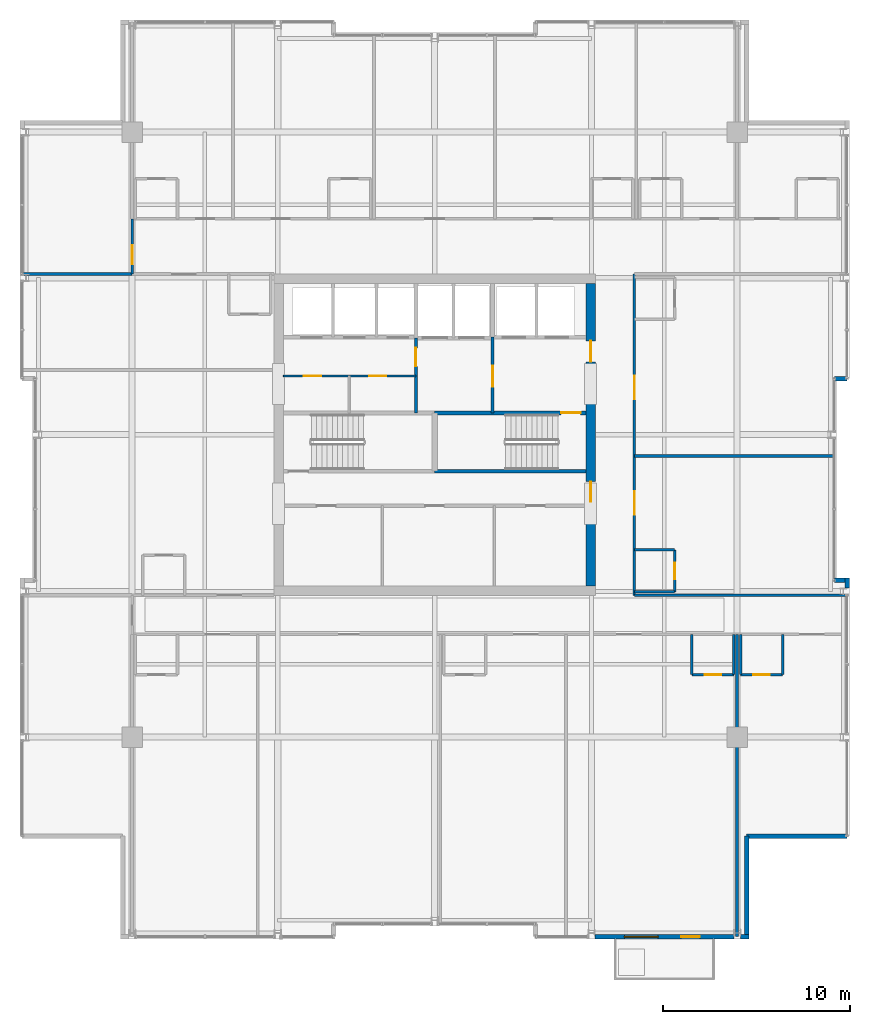
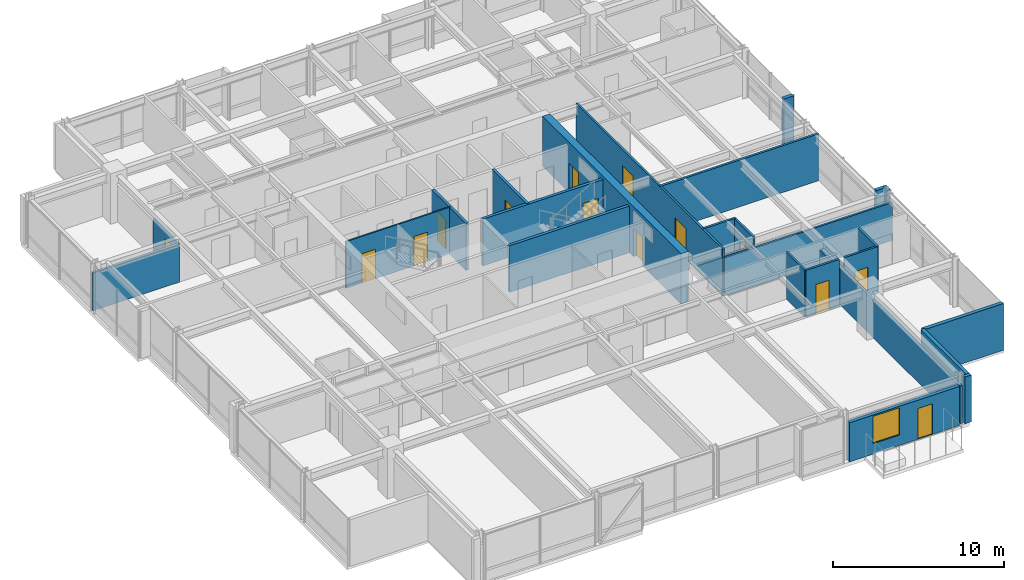
# One storey, part 27 of 32: 28 walls, 14 doors, 1 window, 15 openings.
"""IFC4 building model written with IfcOpenShell, lengths in metres."""

from ifc_helpers import new_model, si_unit, direction, frame, frame_2d, origin, place, context, subcontext, project, spatial, rectangle, extrude, material, layer, layer_set, type_object, element, fill, save


model = new_model("IFC4")

# Units and contexts
model_context = context("Model", 3, precision=1e-05, world=origin(), true_north=direction((0.0, 1.0)))
body_context = subcontext(model_context, "Body", "Model", "MODEL_VIEW")
ifc_project = project(units=[si_unit("LENGTHUNIT", "METRE"), si_unit("AREAUNIT", "SQUARE_METRE"), si_unit("VOLUMEUNIT", "CUBIC_METRE"), si_unit("PLANEANGLEUNIT", "RADIAN"), si_unit("MASSUNIT", "GRAM", prefix="KILO")], contexts=[model_context])

# Site, building, storey
site_placement = place(None, origin())
site = spatial("IfcSite", under=ifc_project, at=site_placement, CompositionType="ELEMENT")
building_placement = place(site_placement, origin())
building = spatial("IfcBuilding", under=site, at=building_placement, Name="Drelvath Grand Hotel", CompositionType="ELEMENT")
storey_placement = place(building_placement, frame((0.0, 0.0, 237.5)))
storey = spatial("IfcBuildingStorey", under=building, at=storey_placement, Name="L62", CompositionType="ELEMENT", Elevation=237.5)

# Wall, openings, doors
ifc_material_1 = material(Name="Gypsum Partition Board")
ifc_layer_1 = layer(ifc_material_1, 0.10009765625)
ifc_layer_set_1 = layer_set([ifc_layer_1], Name="Gypsum Partition Board")
wall_type_1 = type_object("IfcWallType", Name="Core Closet Partition 100", PredefinedType="PARTITIONING", material=ifc_layer_set_1)
wall_1_placement = place(storey_placement, frame((-8.10009765625, 30.139892578125, 0.0), z_axis=(0.0, 0.0, 1.0), x_axis=(1.0, 0.0, 0.0)))
wall_1 = element("IfcWall", 1, at=wall_1_placement, inside=storey, type_object=wall_type_1, Name="L62 High-Rise Lobby Closet Wall", PredefinedType="PARTITIONING", context=body_context, shape_type="SweptSolid", body=[
    extrude(rectangle(XDim=7.10009765625, YDim=0.10009765625, at=frame_2d((3.550048828125, 0.0))), origin(), (0.0, 0.0, 1.0), 3.340087890625),
])
opening_1_placement = place(wall_1_placement, frame((1.10009765625, 0.0, 0.0)))
opening_1 = element("IfcOpeningElement", 2, at=opening_1_placement, cuts=wall_1, Name="Opening D-T4G4-013", PredefinedType="OPENING", context=body_context, shape_type="SweptSolid", body=[
    extrude(rectangle(XDim=0.919921875, YDim=2.10009765625, at=frame_2d((0.4599609375, 1.050048828125))), frame((0.0, 0.06005859375, 0.0), z_axis=(0.0, -1.0, 0.0), x_axis=(1.0, 0.0, 0.0)), (0.0, 0.0, 1.0), 0.1201171875),
])
opening_2_placement = place(wall_1_placement, frame((4.60009765625, 0.0, 0.0)))
opening_2 = element("IfcOpeningElement", 3, at=opening_2_placement, cuts=wall_1, Name="Opening D-T4G4-014", PredefinedType="OPENING", context=body_context, shape_type="SweptSolid", body=[
    extrude(rectangle(XDim=0.919921875, YDim=2.10009765625, at=frame_2d((0.4599609375, 1.050048828125))), frame((0.0, 0.06005859375, 0.0), z_axis=(0.0, -1.0, 0.0), x_axis=(1.0, 0.0, 0.0)), (0.0, 0.0, 1.0), 0.1201171875),
])
ifc_material_2 = material(Name="Painted Steel S275", Category="steel")
door_type_1 = type_object("IfcDoorType", Name="Staff Utility Door 920x2100", OperationType="NOTDEFINED", PredefinedType="DOOR", material=ifc_material_2)
door_1_placement = place(opening_1_placement, origin())
door_1 = element("IfcDoor", 4, at=door_1_placement, inside=storey, type_object=door_type_1, Name="L62 Electrical Closet Door", OperationType="SINGLE_SWING_RIGHT", OverallHeight=2.10009765625, OverallWidth=0.919921875, PredefinedType="DOOR", context=body_context, shape_type="SweptSolid", body=[
    extrude(rectangle(XDim=0.919921875, YDim=2.10009765625, at=frame_2d((0.4599609375, 1.050048828125))), frame((0.0, 0.02490234375, 0.0), z_axis=(0.0, -1.0, 0.0), x_axis=(1.0, 0.0, 0.0)), (0.0, 0.0, 1.0), 0.050048828125),
])
fill(opening_1, door_1)
door_2_placement = place(opening_2_placement, origin())
door_2 = element("IfcDoor", 5, at=door_2_placement, inside=storey, type_object=door_type_1, Name="L62 Telecom Room Door", OperationType="SINGLE_SWING_LEFT", OverallHeight=2.10009765625, OverallWidth=0.919921875, PredefinedType="DOOR", context=body_context, shape_type="SweptSolid", body=[
    extrude(rectangle(XDim=0.919921875, YDim=2.10009765625, at=frame_2d((0.4599609375, 1.050048828125))), frame((0.0, 0.02490234375, 0.0), z_axis=(0.0, -1.0, 0.0), x_axis=(1.0, 0.0, 0.0)), (0.0, 0.0, 1.0), 0.050048828125),
])
fill(opening_2, door_2)

# Wall
ifc_material_3 = material(Name="Concrete C40/50", Category="concrete")
ifc_layer_2 = layer(ifc_material_3, 0.199951171875)
ifc_layer_set_2 = layer_set([ifc_layer_2], Name="Concrete C40/50")
wall_type_2 = type_object("IfcWallType", Name="Core Shaft Fire Wall 200", PredefinedType="SOLIDWALL", material=ifc_layer_set_2)
wall_2_placement = place(storey_placement, frame((0.0, 25.0400390625, 0.0), z_axis=(0.0, 0.0, 1.0), x_axis=(1.0, 0.0, 0.0)))
element("IfcWall", 6, at=wall_2_placement, inside=storey, type_object=wall_type_2, Name="L62 Stair ST-2 South Wall", PredefinedType="SOLIDWALL", context=body_context, shape_type="SweptSolid", body=[
    extrude(rectangle(XDim=8.10009765625, YDim=0.199951171875, at=frame_2d((4.050048828125, 0.0))), origin(), (0.0, 0.0, 1.0), 3.340087890625),
])

# Wall, opening, door
wall_3_placement = place(storey_placement, frame((8.10009765625, 28.159912109375, 0.0), z_axis=(0.0, 0.0, 1.0), x_axis=(-1.0, 0.0, 0.0)))
wall_3 = element("IfcWall", 7, at=wall_3_placement, inside=storey, type_object=wall_type_2, Name="L62 Stair ST-2 North Wall", PredefinedType="SOLIDWALL", context=body_context, shape_type="SweptSolid", body=[
    extrude(rectangle(XDim=8.10009765625, YDim=0.199951171875, at=frame_2d((4.050048828125, 0.0))), origin(), (0.0, 0.0, 1.0), 3.340087890625),
])
opening_3_placement = place(wall_3_placement, frame((0.280029296875, 0.0, 0.0)))
opening_3 = element("IfcOpeningElement", 8, at=opening_3_placement, cuts=wall_3, Name="Opening D-T4G4-002", PredefinedType="OPENING", context=body_context, shape_type="SweptSolid", body=[
    extrude(rectangle(XDim=1.050048828125, YDim=2.10009765625, at=frame_2d((0.52490234375, 1.050048828125))), frame((0.0, 0.10986328125, 0.0), z_axis=(0.0, -1.0, 0.0), x_axis=(1.0, 0.0, 0.0)), (0.0, 0.0, 1.0), 0.219970703125),
])
door_type_2 = type_object("IfcDoorType", Name="Tower Stairwell Fire Door 1050x2100", OperationType="NOTDEFINED", PredefinedType="DOOR", material=ifc_material_2)
door_3_placement = place(opening_3_placement, origin())
door_3 = element("IfcDoor", 9, at=door_3_placement, inside=storey, type_object=door_type_2, Name="L62 Exit Stair ST-2 Door", OperationType="SINGLE_SWING_LEFT", OverallHeight=2.10009765625, OverallWidth=1.050048828125, PredefinedType="DOOR", context=body_context, shape_type="SweptSolid", body=[
    extrude(rectangle(XDim=1.050048828125, YDim=2.10009765625, at=frame_2d((0.52490234375, 1.050048828125))), frame((0.0, 0.02490234375, 0.0), z_axis=(0.0, -1.0, 0.0), x_axis=(1.0, 0.0, 0.0)), (0.0, 0.0, 1.0), 0.050048828125),
])
fill(opening_3, door_3)

# Wall
ifc_material_4 = material(Name="Gypsum Fireboard Partition")
ifc_layer_3 = layer(ifc_material_4, 0.135009765625)
ifc_layer_set_3 = layer_set([ifc_layer_3], Name="Gypsum Fireboard Partition")
wall_type_3 = type_object("IfcWallType", Name="Corridor Fire Barrier Wall 135", PredefinedType="PARTITIONING", material=ifc_layer_set_3)
wall_4_placement = place(storey_placement, frame((10.699951171875, 18.39990234375, 0.0), z_axis=(0.0, 0.0, 1.0), x_axis=(1.0, 0.0, 0.0)))
element("IfcWall", 10, at=wall_4_placement, inside=storey, type_object=wall_type_3, Name="L62 South Gallery Inner East Wall", PredefinedType="PARTITIONING", context=body_context, shape_type="SweptSolid", body=[
    extrude(rectangle(XDim=11.380126953125, YDim=0.135009765625, at=frame_2d((5.68994140625, 0.0))), origin(), (0.0, 0.0, 1.0), 2.71728515625),
])

# Wall, openings, doors
wall_5_placement = place(storey_placement, frame((10.699951171875, 18.39990234375, 0.0), z_axis=(0.0, 0.0, 1.0), x_axis=(0.0, 1.0, 0.0)))
wall_5 = element("IfcWall", 11, at=wall_5_placement, inside=storey, type_object=wall_type_3, Name="L62 East Gallery Link Wall", PredefinedType="PARTITIONING", context=body_context, shape_type="SweptSolid", body=[
    extrude(rectangle(XDim=17.2001953125, YDim=0.135009765625, at=frame_2d((8.60009765625, 0.0))), origin(), (0.0, 0.0, 1.0), 3.340087890625),
])
opening_4_placement = place(wall_5_placement, frame((4.311767578125, 0.0, 0.0)))
opening_4 = element("IfcOpeningElement", 12, at=opening_4_placement, cuts=wall_5, Name="Opening D-T4G4-042", PredefinedType="OPENING", context=body_context, shape_type="SweptSolid", body=[
    extrude(rectangle(XDim=1.260009765625, YDim=2.199951171875, at=frame_2d((0.6298828125, 1.10009765625))), frame((0.0, 0.077392578125, 0.0), z_axis=(0.0, -1.0, 0.0), x_axis=(1.0, 0.0, 0.0)), (0.0, 0.0, 1.0), 0.155029296875),
])
opening_5_placement = place(wall_5_placement, frame((10.481689453125, 0.0, 0.0)))
opening_5 = element("IfcOpeningElement", 13, at=opening_5_placement, cuts=wall_5, Name="Opening D-T4G4-044", PredefinedType="OPENING", context=body_context, shape_type="SweptSolid", body=[
    extrude(rectangle(XDim=1.260009765625, YDim=2.199951171875, at=frame_2d((0.6298828125, 1.10009765625))), frame((0.0, 0.077392578125, 0.0), z_axis=(0.0, -1.0, 0.0), x_axis=(1.0, 0.0, 0.0)), (0.0, 0.0, 1.0), 0.155029296875),
])
ifc_material_5 = material(Name="Hardwood Walnut Timber", Category="wood")
door_type_3 = type_object("IfcDoorType", Name="Suite Entrance Fire Door 1260x2200", OperationType="NOTDEFINED", PredefinedType="DOOR", material=ifc_material_5)
door_4_placement = place(opening_4_placement, origin())
door_4 = element("IfcDoor", 14, at=door_4_placement, inside=storey, type_object=door_type_3, Name="L62 Diplomatic Suite Entry Door", OperationType="SINGLE_SWING_LEFT", OverallHeight=2.199951171875, OverallWidth=1.260009765625, PredefinedType="DOOR", context=body_context, shape_type="SweptSolid", body=[
    extrude(rectangle(XDim=1.260009765625, YDim=2.199951171875, at=frame_2d((0.6298828125, 1.10009765625))), frame((0.0, 0.02490234375, 0.0), z_axis=(0.0, -1.0, 0.0), x_axis=(1.0, 0.0, 0.0)), (0.0, 0.0, 1.0), 0.050048828125),
])
fill(opening_4, door_4)
door_5_placement = place(opening_5_placement, origin())
door_5 = element("IfcDoor", 15, at=door_5_placement, inside=storey, type_object=door_type_3, Name="L62 Diplomatic Suite Entry Door", OperationType="SINGLE_SWING_LEFT", OverallHeight=2.199951171875, OverallWidth=1.260009765625, PredefinedType="DOOR", context=body_context, shape_type="SweptSolid", body=[
    extrude(rectangle(XDim=1.260009765625, YDim=2.199951171875, at=frame_2d((0.6298828125, 1.10009765625))), frame((0.0, 0.02490234375, 0.0), z_axis=(0.0, -1.0, 0.0), x_axis=(1.0, 0.0, 0.0)), (0.0, 0.0, 1.0), 0.050048828125),
])
fill(opening_5, door_5)

# Wall, opening, door
wall_6_placement = place(storey_placement, frame((-16.199951171875, 35.60009765625, 0.0), z_axis=(0.0, 0.0, 1.0), x_axis=(0.0, 1.0, 0.0)))
wall_6 = element("IfcWall", 16, at=wall_6_placement, inside=storey, type_object=wall_type_3, Name="L62 North Gallery West End", PredefinedType="PARTITIONING", context=body_context, shape_type="SweptSolid", body=[
    extrude(rectangle(XDim=2.949951171875, YDim=0.135009765625, at=frame_2d((1.47509765625, 0.0))), origin(), (0.0, 0.0, 1.0), 2.7138671875),
])
opening_6_placement = place(wall_6_placement, frame((0.52001953125, 0.0, 0.0)))
opening_6 = element("IfcOpeningElement", 17, at=opening_6_placement, cuts=wall_6, Name="Opening D-T4G4-020", PredefinedType="OPENING", context=body_context, shape_type="SweptSolid", body=[
    extrude(rectangle(XDim=1.02001953125, YDim=2.14990234375, at=frame_2d((0.510009765625, 1.074951171875))), frame((0.0, 0.077392578125, 0.0), z_axis=(0.0, -1.0, 0.0), x_axis=(1.0, 0.0, 0.0)), (0.0, 0.0, 1.0), 0.155029296875),
])
door_type_4 = type_object("IfcDoorType", Name="Amenity Meeting Fire Door 1020x2150", OperationType="NOTDEFINED", PredefinedType="DOOR", material=ifc_material_5)
door_6_placement = place(opening_6_placement, origin())
door_6 = element("IfcDoor", 18, at=door_6_placement, inside=storey, type_object=door_type_4, Name="L62 Corner Panorama Lounge Door", OperationType="SINGLE_SWING_LEFT", OverallHeight=2.14990234375, OverallWidth=1.02001953125, PredefinedType="DOOR", context=body_context, shape_type="SweptSolid", body=[
    extrude(rectangle(XDim=1.02001953125, YDim=2.14990234375, at=frame_2d((0.510009765625, 1.074951171875))), frame((0.0, 0.02490234375, 0.0), z_axis=(0.0, -1.0, 0.0), x_axis=(1.0, 0.0, 0.0)), (0.0, 0.0, 1.0), 0.050048828125),
])
fill(opening_6, door_6)

# Walls
ifc_material_6 = material(Name="Moisture-Resistant Gypsum Board")
ifc_layer_4 = layer(ifc_material_6, 0.139892578125)
ifc_layer_set_4 = layer_set([ifc_layer_4], Name="Moisture-Resistant Gypsum Board")
wall_type_4 = type_object("IfcWallType", Name="En-Suite Plumbing Wall 140", PredefinedType="PLUMBINGWALL", material=ifc_layer_set_4)
wall_7_placement = place(storey_placement, frame((16.3798828125, 16.300048828125, 0.0), z_axis=(0.0, 0.0, 1.0), x_axis=(0.0, -1.0, 0.0)))
element("IfcWall", 19, at=wall_7_placement, inside=storey, type_object=wall_type_4, Name="L62 En-Suite Left Wall", PredefinedType="PLUMBINGWALL", context=body_context, shape_type="SweptSolid", body=[
    extrude(rectangle(XDim=2.150146484375, YDim=0.139892578125, at=frame_2d((1.0751953125, 0.0))), origin(), (0.0, 0.0, 1.0), 2.7138671875),
])
wall_8_placement = place(storey_placement, frame((18.6298828125, 16.300048828125, 0.0), z_axis=(0.0, 0.0, 1.0), x_axis=(0.0, -1.0, 0.0)))
element("IfcWall", 20, at=wall_8_placement, inside=storey, type_object=wall_type_4, Name="L62 En-Suite Right Wall", PredefinedType="PLUMBINGWALL", context=body_context, shape_type="SweptSolid", body=[
    extrude(rectangle(XDim=2.150146484375, YDim=0.139892578125, at=frame_2d((1.0751953125, 0.0))), origin(), (0.0, 0.0, 1.0), 3.340087890625),
])

# Wall, opening, door
wall_9_placement = place(storey_placement, frame((16.3798828125, 14.14990234375, 0.0), z_axis=(0.0, 0.0, 1.0), x_axis=(1.0, 0.0, 0.0)))
wall_9 = element("IfcWall", 21, at=wall_9_placement, inside=storey, type_object=wall_type_4, Name="L62 En-Suite Front Wall", PredefinedType="PLUMBINGWALL", context=body_context, shape_type="SweptSolid", body=[
    extrude(rectangle(XDim=2.25, YDim=0.139892578125, at=frame_2d((1.125, 0.0))), origin(), (0.0, 0.0, 1.0), 3.340087890625),
])
opening_7_placement = place(wall_9_placement, frame((0.68505859375, 0.0, 0.0)))
opening_7 = element("IfcOpeningElement", 22, at=opening_7_placement, cuts=wall_9, Name="Opening D-T4G4-021", PredefinedType="OPENING", context=body_context, shape_type="SweptSolid", body=[
    extrude(rectangle(XDim=0.8798828125, YDim=2.10009765625, at=frame_2d((0.43994140625, 1.050048828125))), frame((0.0, 0.079833984375, 0.0), z_axis=(0.0, -1.0, 0.0), x_axis=(1.0, 0.0, 0.0)), (0.0, 0.0, 1.0), 0.159912109375),
])
door_type_5 = type_object("IfcDoorType", Name="En-Suite Bathroom Door 880x2100", OperationType="NOTDEFINED", PredefinedType="DOOR", material=ifc_material_5)
door_7_placement = place(opening_7_placement, origin())
door_7 = element("IfcDoor", 23, at=door_7_placement, inside=storey, type_object=door_type_5, Name="L62 En-Suite Bathroom Door", OperationType="SINGLE_SWING_RIGHT", OverallHeight=2.10009765625, OverallWidth=0.8798828125, PredefinedType="DOOR", context=body_context, shape_type="SweptSolid", body=[
    extrude(rectangle(XDim=0.8798828125, YDim=2.10009765625, at=frame_2d((0.43994140625, 1.050048828125))), frame((0.0, 0.02490234375, 0.0), z_axis=(0.0, -1.0, 0.0), x_axis=(1.0, 0.0, 0.0)), (0.0, 0.0, 1.0), 0.050048828125),
])
fill(opening_7, door_7)

# Walls
wall_10_placement = place(storey_placement, frame((13.77001953125, 16.300048828125, 0.0), z_axis=(0.0, 0.0, 1.0), x_axis=(0.0, -1.0, 0.0)))
element("IfcWall", 24, at=wall_10_placement, inside=storey, type_object=wall_type_4, Name="L62 En-Suite Left Wall", PredefinedType="PLUMBINGWALL", context=body_context, shape_type="SweptSolid", body=[
    extrude(rectangle(XDim=2.150146484375, YDim=0.139892578125, at=frame_2d((1.0751953125, 0.0))), origin(), (0.0, 0.0, 1.0), 3.340087890625),
])
wall_11_placement = place(storey_placement, frame((16.02001953125, 16.300048828125, 0.0), z_axis=(0.0, 0.0, 1.0), x_axis=(0.0, -1.0, 0.0)))
element("IfcWall", 25, at=wall_11_placement, inside=storey, type_object=wall_type_4, Name="L62 En-Suite Right Wall", PredefinedType="PLUMBINGWALL", context=body_context, shape_type="SweptSolid", body=[
    extrude(rectangle(XDim=2.150146484375, YDim=0.139892578125, at=frame_2d((1.0751953125, 0.0))), origin(), (0.0, 0.0, 1.0), 2.7138671875),
])

# Wall, opening, door
wall_12_placement = place(storey_placement, frame((13.77001953125, 14.14990234375, 0.0), z_axis=(0.0, 0.0, 1.0), x_axis=(1.0, 0.0, 0.0)))
wall_12 = element("IfcWall", 26, at=wall_12_placement, inside=storey, type_object=wall_type_4, Name="L62 En-Suite Front Wall", PredefinedType="PLUMBINGWALL", context=body_context, shape_type="SweptSolid", body=[
    extrude(rectangle(XDim=2.25, YDim=0.139892578125, at=frame_2d((1.125, 0.0))), origin(), (0.0, 0.0, 1.0), 3.340087890625),
])
opening_8_placement = place(wall_12_placement, frame((0.68505859375, 0.0, 0.0)))
opening_8 = element("IfcOpeningElement", 27, at=opening_8_placement, cuts=wall_12, Name="Opening D-T4G4-030", PredefinedType="OPENING", context=body_context, shape_type="SweptSolid", body=[
    extrude(rectangle(XDim=0.8798828125, YDim=2.10009765625, at=frame_2d((0.43994140625, 1.050048828125))), frame((0.0, 0.079833984375, 0.0), z_axis=(0.0, -1.0, 0.0), x_axis=(1.0, 0.0, 0.0)), (0.0, 0.0, 1.0), 0.159912109375),
])
door_8_placement = place(opening_8_placement, origin())
door_8 = element("IfcDoor", 28, at=door_8_placement, inside=storey, type_object=door_type_5, Name="L62 En-Suite Bathroom Door", OperationType="SINGLE_SWING_LEFT", OverallHeight=2.10009765625, OverallWidth=0.8798828125, PredefinedType="DOOR", context=body_context, shape_type="SweptSolid", body=[
    extrude(rectangle(XDim=0.8798828125, YDim=2.10009765625, at=frame_2d((0.43994140625, 1.050048828125))), frame((0.0, 0.02490234375, 0.0), z_axis=(0.0, -1.0, 0.0), x_axis=(1.0, 0.0, 0.0)), (0.0, 0.0, 1.0), 0.050048828125),
])
fill(opening_8, door_8)

# Walls
wall_13_placement = place(storey_placement, frame((10.699951171875, 18.580078125, 0.0), z_axis=(0.0, 0.0, 1.0), x_axis=(1.0, 0.0, 0.0)))
element("IfcWall", 29, at=wall_13_placement, inside=storey, type_object=wall_type_4, Name="L62 En-Suite Left Wall", PredefinedType="PLUMBINGWALL", context=body_context, shape_type="SweptSolid", body=[
    extrude(rectangle(XDim=2.150146484375, YDim=0.139892578125, at=frame_2d((1.0751953125, 0.0))), origin(), (0.0, 0.0, 1.0), 2.71728515625),
])
wall_14_placement = place(storey_placement, frame((10.699951171875, 20.830078125, 0.0), z_axis=(0.0, 0.0, 1.0), x_axis=(1.0, 0.0, 0.0)))
element("IfcWall", 30, at=wall_14_placement, inside=storey, type_object=wall_type_4, Name="L62 En-Suite Right Wall", PredefinedType="PLUMBINGWALL", context=body_context, shape_type="SweptSolid", body=[
    extrude(rectangle(XDim=2.150146484375, YDim=0.139892578125, at=frame_2d((1.0751953125, 0.0))), origin(), (0.0, 0.0, 1.0), 3.340087890625),
])

# Wall, opening, door
wall_15_placement = place(storey_placement, frame((12.85009765625, 18.580078125, 0.0), z_axis=(0.0, 0.0, 1.0), x_axis=(0.0, 1.0, 0.0)))
wall_15 = element("IfcWall", 31, at=wall_15_placement, inside=storey, type_object=wall_type_4, Name="L62 En-Suite Front Wall", PredefinedType="PLUMBINGWALL", context=body_context, shape_type="SweptSolid", body=[
    extrude(rectangle(XDim=2.25, YDim=0.139892578125, at=frame_2d((1.125, 0.0))), origin(), (0.0, 0.0, 1.0), 3.340087890625),
])
opening_9_placement = place(wall_15_placement, frame((0.68505859375, 0.0, 0.0)))
opening_9 = element("IfcOpeningElement", 32, at=opening_9_placement, cuts=wall_15, Name="Opening D-T4G4-041", PredefinedType="OPENING", context=body_context, shape_type="SweptSolid", body=[
    extrude(rectangle(XDim=0.8798828125, YDim=2.10009765625, at=frame_2d((0.43994140625, 1.050048828125))), frame((0.0, 0.079833984375, 0.0), z_axis=(0.0, -1.0, 0.0), x_axis=(1.0, 0.0, 0.0)), (0.0, 0.0, 1.0), 0.159912109375),
])
door_9_placement = place(opening_9_placement, origin())
door_9 = element("IfcDoor", 33, at=door_9_placement, inside=storey, type_object=door_type_5, Name="L62 En-Suite Bathroom Door", OperationType="SINGLE_SWING_RIGHT", OverallHeight=2.10009765625, OverallWidth=0.8798828125, PredefinedType="DOOR", context=body_context, shape_type="SweptSolid", body=[
    extrude(rectangle(XDim=0.8798828125, YDim=2.10009765625, at=frame_2d((0.43994140625, 1.050048828125))), frame((0.0, 0.02490234375, 0.0), z_axis=(0.0, -1.0, 0.0), x_axis=(1.0, 0.0, 0.0)), (0.0, 0.0, 1.0), 0.050048828125),
])
fill(opening_9, door_9)

ifc_layer_5 = layer(ifc_material_4, 0.179931640625)
ifc_layer_set_5 = layer_set([ifc_layer_5], Name="Gypsum Fireboard Partition")
wall_type_5 = type_object("IfcWallType", Name="FSAE Smoke Lobby Fire Wall 180", PredefinedType="SOLIDWALL", material=ifc_layer_set_5)
wall_16_placement = place(storey_placement, frame((3.10009765625, 28.159912109375, 0.0), z_axis=(0.0, 0.0, 1.0), x_axis=(0.0, 1.0, 0.0)))
wall_16 = element("IfcWall", 34, at=wall_16_placement, inside=storey, type_object=wall_type_5, Name="L62 FSAE Smoke Lobby West Wall", PredefinedType="SOLIDWALL", context=body_context, shape_type="SweptSolid", body=[
    extrude(rectangle(XDim=4.06005859375, YDim=0.179931640625, at=frame_2d((2.030029296875, 0.0))), origin(), (0.0, 0.0, 1.0), 3.340087890625),
])
opening_10_placement = place(wall_16_placement, frame((1.39990234375, 0.0, 0.0)))
opening_10 = element("IfcOpeningElement", 35, at=opening_10_placement, cuts=wall_16, Name="Opening D-T4G4-005", PredefinedType="OPENING", context=body_context, shape_type="SweptSolid", body=[
    extrude(rectangle(XDim=1.1201171875, YDim=2.10009765625, at=frame_2d((0.56005859375, 1.050048828125))), frame((0.0, 0.099853515625, 0.0), z_axis=(0.0, -1.0, 0.0), x_axis=(1.0, 0.0, 0.0)), (0.0, 0.0, 1.0), 0.199951171875),
])
door_type_6 = type_object("IfcDoorType", Name="FSAE Smoke Lobby Fire Door 1120x2100", OperationType="NOTDEFINED", PredefinedType="DOOR", material=ifc_material_2)
door_10_placement = place(opening_10_placement, origin())
door_10 = element("IfcDoor", 36, at=door_10_placement, inside=storey, type_object=door_type_6, Name="L62 FSAE Lobby Service Vestibule Door", OperationType="SINGLE_SWING_RIGHT", OverallHeight=2.10009765625, OverallWidth=1.1201171875, PredefinedType="DOOR", context=body_context, shape_type="SweptSolid", body=[
    extrude(rectangle(XDim=1.1201171875, YDim=2.10009765625, at=frame_2d((0.56005859375, 1.050048828125))), frame((0.0, 0.02490234375, 0.0), z_axis=(0.0, -1.0, 0.0), x_axis=(1.0, 0.0, 0.0)), (0.0, 0.0, 1.0), 0.050048828125),
])
fill(opening_10, door_10)

wall_17_placement = place(storey_placement, frame((-1.0, 28.159912109375, 0.0), z_axis=(0.0, 0.0, 1.0), x_axis=(0.0, 1.0, 0.0)))
wall_17 = element("IfcWall", 37, at=wall_17_placement, inside=storey, type_object=wall_type_5, Name="L62 Service Vestibule West Wall", PredefinedType="SOLIDWALL", context=body_context, shape_type="SweptSolid", body=[
    extrude(rectangle(XDim=4.02001953125, YDim=0.179931640625, at=frame_2d((2.010009765625, 0.0))), origin(), (0.0, 0.0, 1.0), 3.340087890625),
])
opening_11_placement = place(wall_17_placement, frame((2.489990234375, 0.0, 0.0)))
opening_11 = element("IfcOpeningElement", 38, at=opening_11_placement, cuts=wall_17, Name="Opening D-T4G4-009", PredefinedType="OPENING", context=body_context, shape_type="SweptSolid", body=[
    extrude(rectangle(XDim=1.0, YDim=2.10009765625, at=frame_2d((0.5, 1.050048828125))), frame((0.0, 0.099853515625, 0.0), z_axis=(0.0, -1.0, 0.0), x_axis=(1.0, 0.0, 0.0)), (0.0, 0.0, 1.0), 0.199951171875),
])
door_type_7 = type_object("IfcDoorType", Name="Core Service Fire Door 1000x2100", OperationType="NOTDEFINED", PredefinedType="DOOR", material=ifc_material_2)
door_11_placement = place(opening_11_placement, origin())
door_11 = element("IfcDoor", 39, at=door_11_placement, inside=storey, type_object=door_type_7, Name="L62 Service Vestibule West Door", OperationType="SINGLE_SWING_LEFT", OverallHeight=2.10009765625, OverallWidth=1.0, PredefinedType="DOOR", context=body_context, shape_type="SweptSolid", body=[
    extrude(rectangle(XDim=1.0, YDim=2.10009765625, at=frame_2d((0.5, 1.050048828125))), frame((0.0, 0.02490234375, 0.0), z_axis=(0.0, -1.0, 0.0), x_axis=(1.0, 0.0, 0.0)), (0.0, 0.0, 1.0), 0.050048828125),
])
fill(opening_11, door_11)

# Walls
ifc_material_7 = material(Name="Gypsum Acoustic Partition")
ifc_layer_6 = layer(ifc_material_7, 0.14990234375)
ifc_layer_set_6 = layer_set([ifc_layer_6], Name="Gypsum Acoustic Partition")
wall_type_6 = type_object("IfcWallType", Name="Guestroom Demising Wall 150", PredefinedType="PARTITIONING", material=ifc_layer_set_6)
wall_18_placement = place(storey_placement, frame((10.699951171875, 25.853271484375, 0.0), z_axis=(0.0, 0.0, 1.0), x_axis=(1.0, 0.0, 0.0)))
element("IfcWall", 40, at=wall_18_placement, inside=storey, type_object=wall_type_6, Name="L62 East Demising 1", PredefinedType="PARTITIONING", context=body_context, shape_type="SweptSolid", body=[
    extrude(rectangle(XDim=10.699951171875, YDim=0.14990234375, at=frame_2d((5.35009765625, 0.0))), origin(), (0.0, 0.0, 1.0), 3.340087890625),
])
ifc_layer_7 = layer(ifc_material_7, 0.1650390625)
ifc_layer_set_7 = layer_set([ifc_layer_7], Name="Gypsum Acoustic Partition")
wall_type_7 = type_object("IfcWallType", Name="Suite Demising Wall 165", PredefinedType="PARTITIONING", material=ifc_layer_set_7)
wall_19_placement = place(storey_placement, frame((16.199951171875, 0.1201171875, 0.0), z_axis=(0.0, 0.0, 1.0), x_axis=(0.0, 1.0, 0.0)))
element("IfcWall", 41, at=wall_19_placement, inside=storey, type_object=wall_type_7, Name="L62 SE Suite Wall", PredefinedType="PARTITIONING", context=body_context, shape_type="SweptSolid", body=[
    extrude(rectangle(XDim=16.179931640625, YDim=0.1650390625, at=frame_2d((8.08984375, 0.0))), origin(), (0.0, 0.0, 1.0), 2.7138671875),
])
wall_20_placement = place(storey_placement, frame((-22.080078125, 35.60009765625, 0.0), z_axis=(0.0, 0.0, 1.0), x_axis=(1.0, 0.0, 0.0)))
element("IfcWall", 42, at=wall_20_placement, inside=storey, type_object=wall_type_7, Name="L62 NW Corner South Wall", PredefinedType="PARTITIONING", context=body_context, shape_type="SweptSolid", body=[
    extrude(rectangle(XDim=5.880126953125, YDim=0.1650390625, at=frame_2d((2.93994140625, 0.0))), origin(), (0.0, 0.0, 1.0), 2.7138671875),
])
ifc_material_8 = material(Name="Pale-Metal Insulated Aluminium Spandrel Assembly", Category="aluminium")
ifc_layer_8 = layer(ifc_material_8, 0.239990234375)
ifc_layer_set_8 = layer_set([ifc_layer_8], Name="Pale-Metal Insulated Aluminium Spandrel Assembly")
wall_type_8 = type_object("IfcWallType", Name="Tower Insulated Metal Spandrel Closure Wall 240", PredefinedType="STANDARD", material=ifc_layer_set_8)
wall_21_placement = place(storey_placement, frame((22.080078125, 19.320068359375, 0.0), z_axis=(0.0, 0.0, 1.0), x_axis=(0.0, -1.0, 0.0)))
element("IfcWall", 43, at=wall_21_placement, inside=storey, type_object=wall_type_8, Name="L62 Corner Pier Spandrel Wall ES3", PredefinedType="STANDARD", context=body_context, shape_type="SweptSolid", body=[
    extrude(rectangle(XDim=0.541748046875, YDim=0.239990234375, at=frame_2d((0.27099609375, 0.0))), origin(), (0.0, 0.0, 1.0), 3.340087890625),
])

# Wall, openings, window, door
wall_22_placement = place(storey_placement, frame((16.021728515625, 0.1201171875, 0.0), z_axis=(0.0, 0.0, 1.0), x_axis=(-1.0, 0.0, 0.0)))
wall_22 = element("IfcWall", 44, at=wall_22_placement, inside=storey, type_object=wall_type_8, Name="L62 Exterior Terrace Door Bay Wall SE2", PredefinedType="STANDARD", context=body_context, shape_type="SweptSolid", body=[
    extrude(rectangle(XDim=7.443603515625, YDim=0.239990234375, at=frame_2d((3.7216796875, 0.0))), origin(), (0.0, 0.0, 1.0), 2.80322265625),
])
opening_12_placement = place(wall_22_placement, frame((1.82177734375, 0.0, 0.0)))
opening_12 = element("IfcOpeningElement", 45, at=opening_12_placement, cuts=wall_22, Name="Opening TD-1000", PredefinedType="OPENING", context=body_context, shape_type="SweptSolid", body=[
    extrude(rectangle(XDim=1.0, YDim=2.199951171875, at=frame_2d((0.5, 1.10009765625))), frame((0.0, 0.1298828125, 0.0), z_axis=(0.0, -1.0, 0.0), x_axis=(1.0, 0.0, 0.0)), (0.0, 0.0, 1.0), 0.260009765625),
])
opening_13_placement = place(wall_22_placement, frame((4.056640625, 0.0, 0.75)))
opening_13 = element("IfcOpeningElement", 46, at=opening_13_placement, cuts=wall_22, Name="Opening W-02", PredefinedType="OPENING", context=body_context, shape_type="SweptSolid", body=[
    extrude(rectangle(XDim=1.800048828125, YDim=1.953369140625, at=frame_2d((0.89990234375, 0.9765625))), frame((0.0, 0.1298828125, 0.0), z_axis=(0.0, -1.0, 0.0), x_axis=(1.0, 0.0, 0.0)), (0.0, 0.0, 1.0), 0.260009765625),
])
ifc_material_9 = material(Name="Bronze Anodised Low-E Triple Glazing", Category="glass")
window_type = type_object("IfcWindowType", Name="Chicago Double-Pane Podium Window 1800x2400", PartitioningType="DOUBLE_PANEL_VERTICAL", PredefinedType="WINDOW", material=ifc_material_9)
window_placement = place(opening_13_placement, origin())
window = element("IfcWindow", 47, at=window_placement, inside=storey, type_object=window_type, Name="L62 Terrace Bay Companion Window SE2", OverallHeight=1.953369140625, OverallWidth=1.800048828125, PartitioningType="SINGLE_PANEL", PredefinedType="WINDOW", context=body_context, shape_type="SweptSolid", body=[
    extrude(rectangle(XDim=1.800048828125, YDim=1.953369140625, at=frame_2d((0.89990234375, 0.9765625))), frame((0.0, 0.030029296875, 0.0), z_axis=(0.0, -1.0, 0.0), x_axis=(1.0, 0.0, 0.0)), (0.0, 0.0, 1.0), 0.06005859375),
])
fill(opening_13, window)
ifc_material_10 = material(Name="Anodised Aluminium Thermally Broken Glazed Door", Category="aluminium")
door_type_8 = type_object("IfcDoorType", Name="Terrace and Tree Balcony Glazed Door 1000x2200", OperationType="NOTDEFINED", PredefinedType="DOOR", material=ifc_material_10)
door_12_placement = place(opening_12_placement, origin())
door_12 = element("IfcDoor", 48, at=door_12_placement, inside=storey, type_object=door_type_8, Name="L62 Tree Balcony Door DOOR-L62-TBAL-1", OperationType="SINGLE_SWING_LEFT", OverallHeight=2.199951171875, OverallWidth=1.0, PredefinedType="DOOR", context=body_context, shape_type="SweptSolid", body=[
    extrude(rectangle(XDim=1.0, YDim=2.199951171875, at=frame_2d((0.5, 1.10009765625))), frame((0.0, 0.02490234375, 0.0), z_axis=(0.0, -1.0, 0.0), x_axis=(1.0, 0.0, 0.0)), (0.0, 0.0, 1.0), 0.050048828125),
])
fill(opening_12, door_12)

# Walls
wall_23_placement = place(storey_placement, frame((16.820068359375, 0.1201171875, 0.0), z_axis=(0.0, 0.0, 1.0), x_axis=(-1.0, 0.0, 0.0)))
element("IfcWall", 49, at=wall_23_placement, inside=storey, type_object=wall_type_8, Name="L62 Corner Pier Spandrel Wall SE3", PredefinedType="STANDARD", context=body_context, shape_type="SweptSolid", body=[
    extrude(rectangle(XDim=0.44189453125, YDim=0.239990234375, at=frame_2d((0.220947265625, 0.0))), origin(), (0.0, 0.0, 1.0), 3.340087890625),
])
wall_24_placement = place(storey_placement, frame((22.080078125, 5.5, 0.0), z_axis=(0.0, 0.0, 1.0), x_axis=(-1.0, 0.0, 0.0)))
element("IfcWall", 50, at=wall_24_placement, inside=storey, type_object=wall_type_8, Name="L62 Notched Corner Return Spandrel Wall CSE1", PredefinedType="STANDARD", context=body_context, shape_type="SweptSolid", body=[
    extrude(rectangle(XDim=5.380126953125, YDim=0.239990234375, at=frame_2d((2.68994140625, 0.0))), origin(), (0.0, 0.0, 1.0), 3.340087890625),
])
wall_25_placement = place(storey_placement, frame((16.699951171875, 5.5, 0.0), z_axis=(0.0, 0.0, 1.0), x_axis=(0.0, -1.0, 0.0)))
element("IfcWall", 51, at=wall_25_placement, inside=storey, type_object=wall_type_8, Name="L62 Notched Corner Return Spandrel Wall CSE2", PredefinedType="STANDARD", context=body_context, shape_type="SweptSolid", body=[
    extrude(rectangle(XDim=5.260009765625, YDim=0.239990234375, at=frame_2d((2.6298828125, 0.0))), origin(), (0.0, 0.0, 1.0), 3.340087890625),
])
wall_26_placement = place(storey_placement, frame((22.080078125, 30.0, 0.0), z_axis=(0.0, 0.0, 1.0), x_axis=(-1.0, 0.0, 0.0)))
element("IfcWall", 52, at=wall_26_placement, inside=storey, type_object=wall_type_8, Name="L62 Notched Corner Return Spandrel Wall RE1", PredefinedType="STANDARD", context=body_context, shape_type="SweptSolid", body=[
    extrude(rectangle(XDim=0.68017578125, YDim=0.239990234375, at=frame_2d((0.340087890625, 0.0))), origin(), (0.0, 0.0, 1.0), 3.340087890625),
])
wall_27_placement = place(storey_placement, frame((21.39990234375, 19.199951171875, 0.0), z_axis=(0.0, 0.0, 1.0), x_axis=(1.0, 0.0, 0.0)))
element("IfcWall", 53, at=wall_27_placement, inside=storey, type_object=wall_type_8, Name="L62 Notched Corner Return Spandrel Wall RE2", PredefinedType="STANDARD", context=body_context, shape_type="SweptSolid", body=[
    extrude(rectangle(XDim=0.56005859375, YDim=0.239990234375, at=frame_2d((0.280029296875, 0.0))), origin(), (0.0, 0.0, 1.0), 3.340087890625),
])

# Wall, openings, doors
ifc_material_11 = material(Name="Concrete f'c 55 MPa", Category="concrete")
ifc_layer_9 = layer(ifc_material_11, 0.5)
ifc_layer_set_9 = layer_set([ifc_layer_9], Name="Concrete f'c 55 MPa")
wall_type_9 = type_object("IfcWallType", Name="Upper Core RC Shear Wall 500", PredefinedType="SHEAR", material=ifc_layer_set_9)
wall_28_placement = place(storey_placement, frame((8.35009765625, 35.10009765625, 0.0), z_axis=(0.0, 0.0, 1.0), x_axis=(0.0, -1.0, 0.0)))
wall_28 = element("IfcWall", 54, at=wall_28_placement, inside=storey, type_object=wall_type_9, Name="L62 Central Core Shear Wall E", PredefinedType="SHEAR", context=body_context, shape_type="SweptSolid", body=[
    extrude(rectangle(XDim=16.2001953125, YDim=0.5, at=frame_2d((8.10009765625, 0.0))), origin(), (0.0, 0.0, 1.0), 3.60009765625),
])
opening_14_placement = place(wall_28_placement, frame((3.080078125, 0.0, 0.0)))
opening_14 = element("IfcOpeningElement", 55, at=opening_14_placement, cuts=wall_28, Name="Opening D-T4G4-006", PredefinedType="OPENING", context=body_context, shape_type="SweptSolid", body=[
    extrude(rectangle(XDim=1.1201171875, YDim=2.10009765625, at=frame_2d((0.56005859375, 1.050048828125))), frame((0.0, 0.260009765625, 0.0), z_axis=(0.0, -1.0, 0.0), x_axis=(1.0, 0.0, 0.0)), (0.0, 0.0, 1.0), 0.52001953125),
])
opening_15_placement = place(wall_28_placement, frame((10.6201171875, 0.0, 0.0)))
opening_15 = element("IfcOpeningElement", 56, at=opening_15_placement, cuts=wall_28, Name="Opening D-T4G4-015", PredefinedType="OPENING", context=body_context, shape_type="SweptSolid", body=[
    extrude(rectangle(XDim=1.080078125, YDim=2.0400390625, at=frame_2d((0.5400390625, 1.02001953125))), frame((0.0, 0.260009765625, 0.0), z_axis=(0.0, -1.0, 0.0), x_axis=(1.0, 0.0, 0.0)), (0.0, 0.0, 1.0), 0.52001953125),
])
door_type_9 = type_object("IfcDoorType", Name="Core Corridor Fire Door 1080x2100", OperationType="NOTDEFINED", PredefinedType="DOOR", material=ifc_material_2)
door_13_placement = place(opening_15_placement, origin())
door_13 = element("IfcDoor", 57, at=door_13_placement, inside=storey, type_object=door_type_9, Name="L62 Core Passage East Door", OperationType="SINGLE_SWING_RIGHT", OverallHeight=2.0400390625, OverallWidth=1.080078125, PredefinedType="DOOR", context=body_context, shape_type="SweptSolid", body=[
    extrude(rectangle(XDim=1.080078125, YDim=2.0400390625, at=frame_2d((0.5400390625, 1.02001953125))), frame((0.0, 0.02490234375, 0.0), z_axis=(0.0, -1.0, 0.0), x_axis=(1.0, 0.0, 0.0)), (0.0, 0.0, 1.0), 0.050048828125),
])
fill(opening_15, door_13)
door_14_placement = place(opening_14_placement, origin())
door_14 = element("IfcDoor", 58, at=door_14_placement, inside=storey, type_object=door_type_6, Name="L62 FSAE Lobby East Corridor Door", OperationType="SINGLE_SWING_LEFT", OverallHeight=2.10009765625, OverallWidth=1.1201171875, PredefinedType="DOOR", context=body_context, shape_type="SweptSolid", body=[
    extrude(rectangle(XDim=1.1201171875, YDim=2.10009765625, at=frame_2d((0.56005859375, 1.050048828125))), frame((0.0, 0.02490234375, 0.0), z_axis=(0.0, -1.0, 0.0), x_axis=(1.0, 0.0, 0.0)), (0.0, 0.0, 1.0), 0.050048828125),
])
fill(opening_14, door_14)

save(model, "model.ifc")
